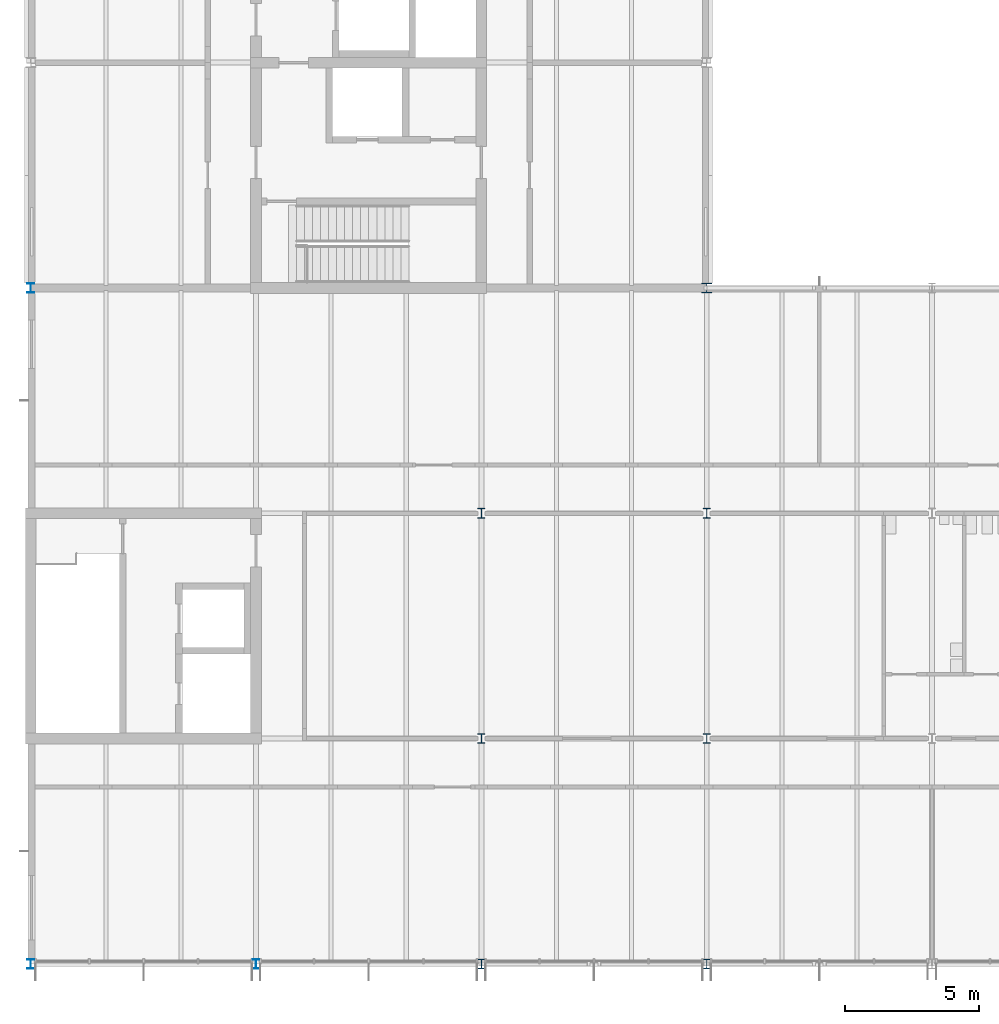
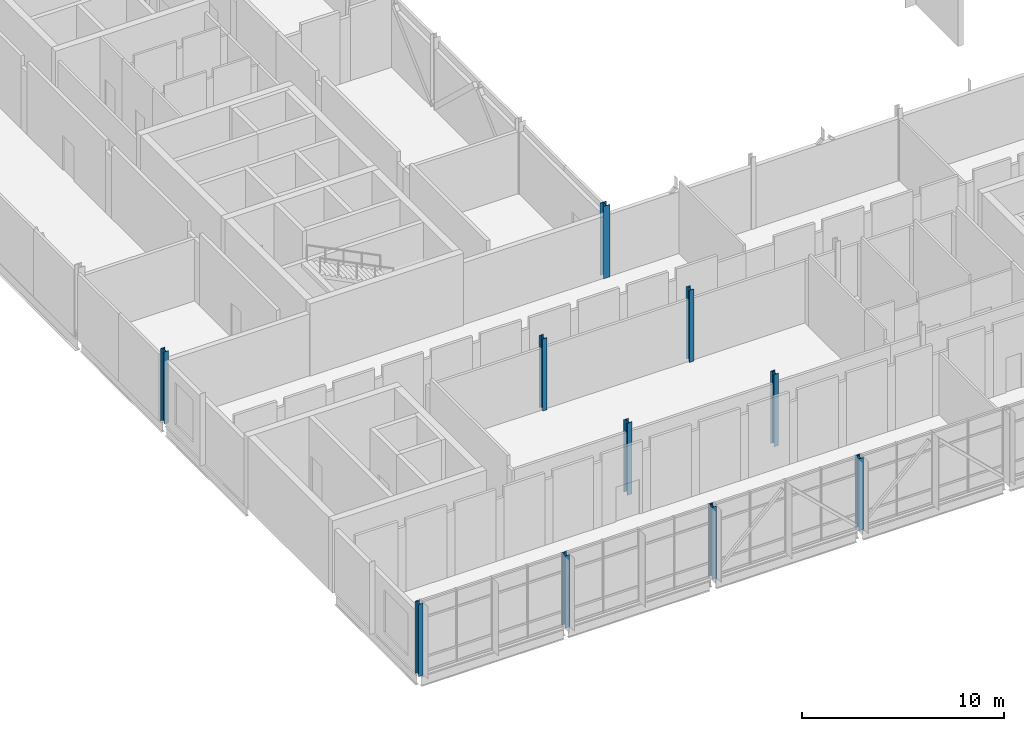
# One storey, part 1 of 72: 10 columns.
"""IFC4 building model written with IfcOpenShell, lengths in metres."""

from ifc_helpers import new_model, si_unit, direction, frame, origin, origin_2d, place, context, subcontext, project, spatial, i_section, extrude, material, material_profile, profile_set, type_object, element, save


model = new_model("IFC4")

# Units and contexts
model_context = context("Model", 3, precision=1e-05, world=origin(), true_north=direction((0.0, 1.0)))
body_context = subcontext(model_context, "Body", "Model", "MODEL_VIEW")
ifc_project = project(units=[si_unit("LENGTHUNIT", "METRE"), si_unit("AREAUNIT", "SQUARE_METRE"), si_unit("VOLUMEUNIT", "CUBIC_METRE"), si_unit("PLANEANGLEUNIT", "RADIAN"), si_unit("MASSUNIT", "GRAM", prefix="KILO")], contexts=[model_context])

# Site, building, storey
site_placement = place(None, origin())
site = spatial("IfcSite", under=ifc_project, at=site_placement, CompositionType="ELEMENT")
building_placement = place(site_placement, origin())
building = spatial("IfcBuilding", under=site, at=building_placement, Name="Hlaing Beacon Police Headquarters", CompositionType="ELEMENT")
storey_placement = place(building_placement, frame((0.0, 0.0, 14.39990234375)))
storey = spatial("IfcBuildingStorey", under=building, at=storey_placement, Name="L03", CompositionType="ELEMENT", Elevation=14.39990234375)

# Columns
ifc_material_1 = material(Name="Steel ASTM A992 Grade 50", Category="steel")
ifc_material_profile_1 = material_profile(ifc_material_1, i_section(OverallWidth=0.370849609375, OverallDepth=0.36328125, WebThickness=0.013427734375, FlangeThickness=0.021728515625, FilletRadius=0.01513671875, at=origin_2d()), Name="W14x109")
ifc_profile_set_1 = profile_set([ifc_material_profile_1], Name="Steel ASTM A992 Grade 50")
column_type_1 = type_object("IfcColumnType", Name="Steel column W14x109", PredefinedType="COLUMN", material=ifc_profile_set_1)
column_1_placement = place(storey_placement, frame((33.60009765625, 33.60009765625, 0.0), z_axis=(0.0, 0.0, 1.0), x_axis=(1.0, 0.0, 0.0)))
element("IfcColumn", 1, at=column_1_placement, inside=storey, type_object=column_type_1, Name="STR-COL-L03-E5", PredefinedType="COLUMN", context=body_context, shape_type="SweptSolid", body=[
    extrude(i_section(OverallWidth=0.370849609375, OverallDepth=0.36328125, WebThickness=0.013427734375, FlangeThickness=0.021728515625, FilletRadius=0.01513671875, at=origin_2d()), origin(), (0.0, 0.0, 1.0), 4.3701171875),
])
ifc_material_2 = material(Name="Steel ASTM A992 Grade 50", Category="steel")
ifc_material_profile_2 = material_profile(ifc_material_2, i_section(OverallWidth=0.25390625, OverallDepth=0.35302734375, WebThickness=0.009521484375, FlangeThickness=0.016357421875, FilletRadius=0.01513671875, at=origin_2d()), Name="W14x61")
ifc_profile_set_2 = profile_set([ifc_material_profile_2], Name="Steel ASTM A992 Grade 50")
column_type_2 = type_object("IfcColumnType", Name="Steel column W14x61", PredefinedType="COLUMN", material=ifc_profile_set_2)
for number, where, z_axis, x_axis, name in (
    (2, (8.39990234375, 8.39990234375, 0.0), (0.0, 0.0, 1.0), (1.0, 0.0, 0.0), "STR-COL-L03-B2"),
    (3, (16.800048828125, 8.39990234375, 0.0), (0.0, 0.0, 1.0), (1.0, 0.0, 0.0), "STR-COL-L03-C2"),
):
    element("IfcColumn", number, at=place(storey_placement, frame(where, z_axis=z_axis, x_axis=x_axis)), inside=storey, type_object=column_type_2, Name=name, PredefinedType="COLUMN", context=body_context, shape_type="SweptSolid", body=[
        extrude(i_section(OverallWidth=0.25390625, OverallDepth=0.35302734375, WebThickness=0.009521484375, FlangeThickness=0.016357421875, FilletRadius=0.01513671875, at=origin_2d()), origin(), (0.0, 0.0, 1.0), 4.3701171875),
    ])
ifc_material_3 = material(Name="Steel ASTM A992 Grade 50", Category="steel")
ifc_material_profile_3 = material_profile(ifc_material_3, i_section(OverallWidth=0.25390625, OverallDepth=0.355712890625, WebThickness=0.010498046875, FlangeThickness=0.018310546875, FilletRadius=0.014892578125, at=origin_2d()), Name="W14x68")
ifc_profile_set_3 = profile_set([ifc_material_profile_3], Name="Steel ASTM A992 Grade 50")
column_type_3 = type_object("IfcColumnType", Name="Steel column W14x68", PredefinedType="COLUMN", material=ifc_profile_set_3)
column_2_placement = place(storey_placement, frame((8.39990234375, 33.60009765625, 0.0), z_axis=(0.0, 0.0, 1.0), x_axis=(1.0, 0.0, 0.0)))
element("IfcColumn", 4, at=column_2_placement, inside=storey, type_object=column_type_3, Name="STR-COL-L03-B5", PredefinedType="COLUMN", context=body_context, shape_type="SweptSolid", body=[
    extrude(i_section(OverallWidth=0.25390625, OverallDepth=0.355712890625, WebThickness=0.010498046875, FlangeThickness=0.018310546875, FilletRadius=0.014892578125, at=origin_2d()), origin(), (0.0, 0.0, 1.0), 4.3701171875),
])
ifc_material_4 = material(Name="Steel ASTM A992 Grade 50", Category="steel")
ifc_material_profile_4 = material_profile(ifc_material_4, i_section(OverallWidth=0.256591796875, OverallDepth=0.360595703125, WebThickness=0.011474609375, FlangeThickness=0.02001953125, FilletRadius=0.01513671875, at=origin_2d()), Name="W14x74")
ifc_profile_set_4 = profile_set([ifc_material_profile_4], Name="Steel ASTM A992 Grade 50")
column_type_4 = type_object("IfcColumnType", Name="Steel column W14x74", PredefinedType="COLUMN", material=ifc_profile_set_4)
for number, where, z_axis, x_axis, name in (
    (5, (25.199951171875, 16.800048828125, 0.0), (0.0, 0.0, 1.0), (1.0, 0.0, 0.0), "STR-COL-L03-D3"),
    (6, (25.199951171875, 25.199951171875, 0.0), (0.0, 0.0, 1.0), (1.0, 0.0, 0.0), "STR-COL-L03-D4"),
    (7, (33.60009765625, 16.800048828125, 0.0), (0.0, 0.0, 1.0), (1.0, 0.0, 0.0), "STR-COL-L03-E3"),
    (8, (33.60009765625, 25.199951171875, 0.0), (0.0, 0.0, 1.0), (1.0, 0.0, 0.0), "STR-COL-L03-E4"),
):
    element("IfcColumn", number, at=place(storey_placement, frame(where, z_axis=z_axis, x_axis=x_axis)), inside=storey, type_object=column_type_4, Name=name, PredefinedType="COLUMN", context=body_context, shape_type="SweptSolid", body=[
        extrude(i_section(OverallWidth=0.256591796875, OverallDepth=0.360595703125, WebThickness=0.011474609375, FlangeThickness=0.02001953125, FilletRadius=0.01513671875, at=origin_2d()), origin(), (0.0, 0.0, 1.0), 4.3701171875),
    ])
ifc_material_5 = material(Name="Steel ASTM A992 Grade 50", Category="steel")
ifc_material_profile_5 = material_profile(ifc_material_5, i_section(OverallWidth=0.256591796875, OverallDepth=0.36328125, WebThickness=0.012939453125, FlangeThickness=0.021728515625, FilletRadius=0.01513671875, at=origin_2d()), Name="W14x82")
ifc_profile_set_5 = profile_set([ifc_material_profile_5], Name="Steel ASTM A992 Grade 50")
column_type_5 = type_object("IfcColumnType", Name="Steel column W14x82", PredefinedType="COLUMN", material=ifc_profile_set_5)
for number, where, z_axis, x_axis, name in (
    (9, (25.199951171875, 8.39990234375, 0.0), (0.0, 0.0, 1.0), (1.0, 0.0, 0.0), "STR-COL-L03-D2"),
    (10, (33.60009765625, 8.39990234375, 0.0), (0.0, 0.0, 1.0), (1.0, 0.0, 0.0), "STR-COL-L03-E2"),
):
    element("IfcColumn", number, at=place(storey_placement, frame(where, z_axis=z_axis, x_axis=x_axis)), inside=storey, type_object=column_type_5, Name=name, PredefinedType="COLUMN", context=body_context, shape_type="SweptSolid", body=[
        extrude(i_section(OverallWidth=0.256591796875, OverallDepth=0.36328125, WebThickness=0.012939453125, FlangeThickness=0.021728515625, FilletRadius=0.01513671875, at=origin_2d()), origin(), (0.0, 0.0, 1.0), 4.3701171875),
    ])

save(model, "model.ifc")
